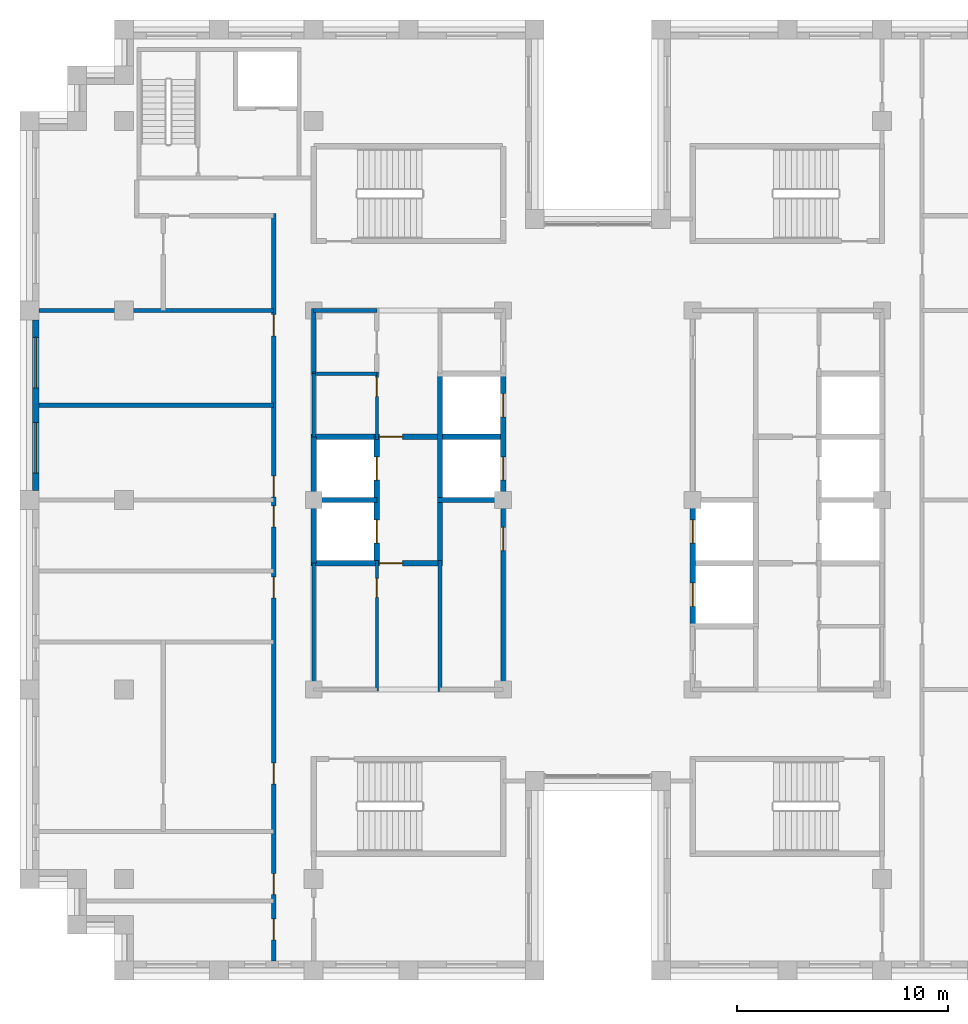
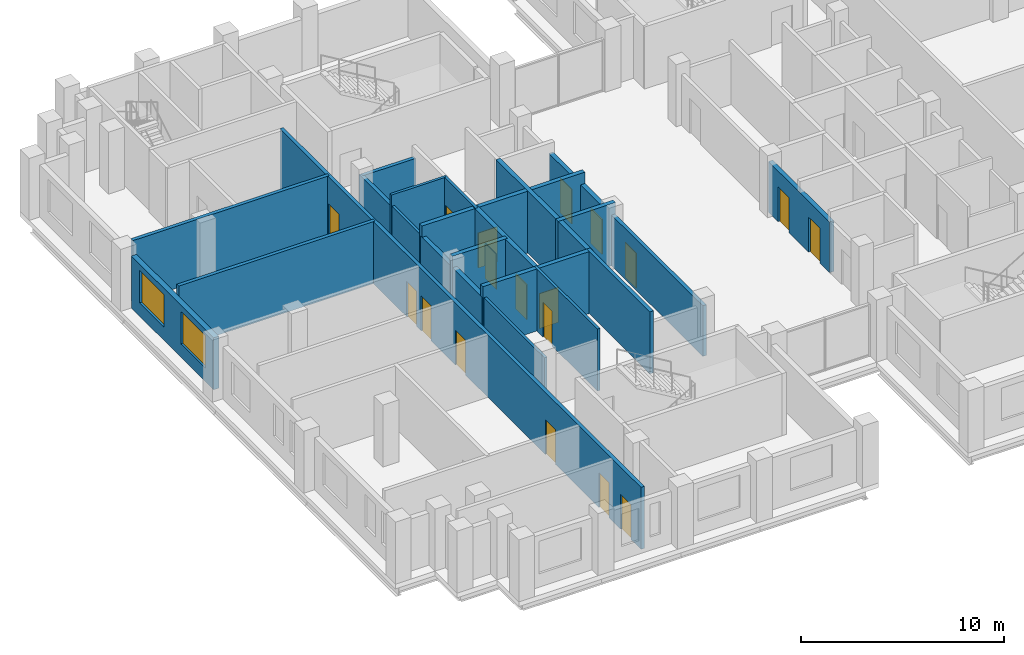
# One storey, part 7 of 13: 22 walls, 18 doors, 2 windows, 20 openings.
"""IFC4 building model written with IfcOpenShell, lengths in metres."""

from ifc_helpers import new_model, si_unit, direction, frame, frame_2d, origin, place, context, subcontext, project, spatial, rectangle, extrude, material, layer, layer_set, type_object, element, fill, save


model = new_model("IFC4")

# Units and contexts
model_context = context("Model", 3, precision=1e-05, world=origin(), true_north=direction((0.0, 1.0)))
body_context = subcontext(model_context, "Body", "Model", "MODEL_VIEW")
ifc_project = project(units=[si_unit("LENGTHUNIT", "METRE"), si_unit("AREAUNIT", "SQUARE_METRE"), si_unit("VOLUMEUNIT", "CUBIC_METRE"), si_unit("PLANEANGLEUNIT", "RADIAN"), si_unit("MASSUNIT", "GRAM", prefix="KILO")], contexts=[model_context])

# Site, building, storey
site_placement = place(None, origin())
site = spatial("IfcSite", under=ifc_project, at=site_placement, CompositionType="ELEMENT")
building_placement = place(site_placement, origin())
building = spatial("IfcBuilding", under=site, at=building_placement, Name="Corbelhall Arena Tower", CompositionType="ELEMENT")
storey_placement = place(building_placement, frame((0.0, 0.0, 282.0)))
storey = spatial("IfcBuildingStorey", under=building, at=storey_placement, Name="L61", CompositionType="ELEMENT", Elevation=282.0)

# Wall, openings, windows
ifc_material_1 = material(Name="Precast concrete C40/50 with granite facing", Category="masonry")
ifc_layer_1 = layer(ifc_material_1, 0.300048828125)
ifc_layer_set_1 = layer_set([ifc_layer_1], Name="EV-IW1 Infill panel 300")
wall_type_1 = type_object("IfcWallType", Name="EV-IW1 Infill panel 300", PredefinedType="SOLIDWALL", material=ifc_layer_set_1)
wall_1_placement = place(storey_placement, frame((-26.699951171875, 8.550048828125, 0.0), z_axis=(0.0, 0.0, 1.0), x_axis=(0.0, -1.0, 0.0)))
wall_1 = element("IfcWall", 1, at=wall_1_placement, inside=storey, type_object=wall_type_1, Name="Infill panel IW1", PredefinedType="SOLIDWALL", context=body_context, shape_type="SweptSolid", body=[
    extrude(rectangle(XDim=8.10009765625, YDim=0.300048828125, at=frame_2d((4.050048828125, 0.0))), origin(), (0.0, 0.0, 1.0), 3.1201171875),
])
opening_1_placement = place(wall_1_placement, frame((0.824951171875, 0.0, 0.800048828125)))
opening_1 = element("IfcOpeningElement", 2, at=opening_1_placement, cuts=wall_1, Name="Opening WN1", PredefinedType="OPENING", context=body_context, shape_type="SweptSolid", body=[
    extrude(rectangle(XDim=2.39990234375, YDim=1.949951171875, at=frame_2d((1.199951171875, 0.97509765625))), frame((0.0, 0.14990234375, 0.0), z_axis=(0.0, -1.0, 0.0), x_axis=(1.0, 0.0, 0.0)), (0.0, 0.0, 1.0), 0.300048828125),
])
opening_2_placement = place(wall_1_placement, frame((4.875, 0.0, 0.800048828125)))
opening_2 = element("IfcOpeningElement", 3, at=opening_2_placement, cuts=wall_1, Name="Opening WN1", PredefinedType="OPENING", context=body_context, shape_type="SweptSolid", body=[
    extrude(rectangle(XDim=2.39990234375, YDim=1.949951171875, at=frame_2d((1.199951171875, 0.97509765625))), frame((0.0, 0.14990234375, 0.0), z_axis=(0.0, -1.0, 0.0), x_axis=(1.0, 0.0, 0.0)), (0.0, 0.0, 1.0), 0.300048828125),
])
ifc_material_2 = material(Name="Aluminium black anodised", Category="aluminium")
window_type = type_object("IfcWindowType", Name="EV-WN1 Office window", PartitioningType="SINGLE_PANEL", PredefinedType="WINDOW", material=ifc_material_2)
window_1_placement = place(opening_1_placement, origin())
window_1 = element("IfcWindow", 4, at=window_1_placement, inside=storey, type_object=window_type, Name="Window WN1", OverallHeight=1.949951171875, OverallWidth=2.39990234375, PartitioningType="SINGLE_PANEL", PredefinedType="WINDOW", context=body_context, shape_type="SweptSolid", body=[
    extrude(rectangle(XDim=2.39990234375, YDim=1.949951171875, at=frame_2d((1.199951171875, 0.97509765625))), frame((0.0, 0.030029296875, 0.0), z_axis=(0.0, -1.0, 0.0), x_axis=(1.0, 0.0, 0.0)), (0.0, 0.0, 1.0), 0.06005859375),
])
fill(opening_1, window_1)
window_2_placement = place(opening_2_placement, origin())
window_2 = element("IfcWindow", 5, at=window_2_placement, inside=storey, type_object=window_type, Name="Window WN1", OverallHeight=1.949951171875, OverallWidth=2.39990234375, PartitioningType="SINGLE_PANEL", PredefinedType="WINDOW", context=body_context, shape_type="SweptSolid", body=[
    extrude(rectangle(XDim=2.39990234375, YDim=1.949951171875, at=frame_2d((1.199951171875, 0.97509765625))), frame((0.0, 0.030029296875, 0.0), z_axis=(0.0, -1.0, 0.0), x_axis=(1.0, 0.0, 0.0)), (0.0, 0.0, 1.0), 0.06005859375),
])
fill(opening_2, window_2)

# Walls
ifc_material_3 = material(Name="Gypsum board on steel stud, acoustic", Category="steel")
ifc_layer_2 = layer(ifc_material_3, 0.199951171875)
ifc_layer_set_2 = layer_set([ifc_layer_2], Name="IN-W-DM200")
wall_type_2 = type_object("IfcWallType", Name="IN-W-DM200", PredefinedType="PARTITIONING", material=ifc_layer_set_2)
for number, where, z_axis, x_axis, name in (
    (6, (-26.550048828125, 4.5, 0.0), (0.0, 0.0, 1.0), (1.0, 0.0, 0.0), "Partition 004"),
    (7, (-26.550048828125, 9.0, 0.0), (0.0, 0.0, 1.0), (1.0, 0.0, 0.0), "Partition 005"),
):
    element("IfcWall", number, at=place(storey_placement, frame(where, z_axis=z_axis, x_axis=x_axis)), inside=storey, type_object=wall_type_2, Name=name, PredefinedType="PARTITIONING", context=body_context, shape_type="SweptSolid", body=[
        extrude(rectangle(XDim=11.150146484375, YDim=0.199951171875, at=frame_2d((5.5751953125, 0.0))), origin(), (0.0, 0.0, 1.0), 3.719970703125),
    ])

# Wall, openings, doors
wall_2_placement = place(storey_placement, frame((-15.39990234375, -21.89990234375, 0.0), z_axis=(0.0, 0.0, 1.0), x_axis=(0.0, 1.0, 0.0)))
wall_2 = element("IfcWall", 8, at=wall_2_placement, inside=storey, type_object=wall_type_2, Name="Partition 011", PredefinedType="PARTITIONING", context=body_context, shape_type="SweptSolid", body=[
    extrude(rectangle(XDim=35.5, YDim=0.199951171875, at=frame_2d((17.75, 0.0))), origin(), (0.0, 0.0, 1.0), 3.719970703125),
])
opening_3_placement = place(wall_2_placement, frame((22.050048828125, 0.0, 0.0)))
opening_3 = element("IfcOpeningElement", 9, at=opening_3_placement, cuts=wall_2, Name="Opening 19022", PredefinedType="OPENING", context=body_context, shape_type="SweptSolid", body=[
    extrude(rectangle(XDim=1.0, YDim=2.10009765625, at=frame_2d((0.5, 1.050048828125))), frame((0.0, 0.10009765625, 0.0), z_axis=(0.0, -1.0, 0.0), x_axis=(1.0, 0.0, 0.0)), (0.0, 0.0, 1.0), 0.199951171875),
])
opening_4_placement = place(wall_2_placement, frame((29.699951171875, 0.0, 0.0)))
opening_4 = element("IfcOpeningElement", 10, at=opening_4_placement, cuts=wall_2, Name="Opening 19023", PredefinedType="OPENING", context=body_context, shape_type="SweptSolid", body=[
    extrude(rectangle(XDim=1.0, YDim=2.10009765625, at=frame_2d((0.5, 1.050048828125))), frame((0.0, 0.10009765625, 0.0), z_axis=(0.0, -1.0, 0.0), x_axis=(1.0, 0.0, 0.0)), (0.0, 0.0, 1.0), 0.199951171875),
])
opening_5_placement = place(wall_2_placement, frame((1.0, 0.0, 0.0)))
opening_5 = element("IfcOpeningElement", 11, at=opening_5_placement, cuts=wall_2, Name="Opening 19026", PredefinedType="OPENING", context=body_context, shape_type="SweptSolid", body=[
    extrude(rectangle(XDim=1.0, YDim=2.10009765625, at=frame_2d((0.5, 1.050048828125))), frame((0.0, 0.10009765625, 0.0), z_axis=(0.0, -1.0, 0.0), x_axis=(1.0, 0.0, 0.0)), (0.0, 0.0, 1.0), 0.199951171875),
])
opening_6_placement = place(wall_2_placement, frame((3.14990234375, 0.0, 0.0)))
opening_6 = element("IfcOpeningElement", 12, at=opening_6_placement, cuts=wall_2, Name="Opening 19027", PredefinedType="OPENING", context=body_context, shape_type="SweptSolid", body=[
    extrude(rectangle(XDim=1.0, YDim=2.10009765625, at=frame_2d((0.5, 1.050048828125))), frame((0.0, 0.10009765625, 0.0), z_axis=(0.0, -1.0, 0.0), x_axis=(1.0, 0.0, 0.0)), (0.0, 0.0, 1.0), 0.199951171875),
])
opening_7_placement = place(wall_2_placement, frame((8.39990234375, 0.0, 0.0)))
opening_7 = element("IfcOpeningElement", 13, at=opening_7_placement, cuts=wall_2, Name="Opening 19028", PredefinedType="OPENING", context=body_context, shape_type="SweptSolid", body=[
    extrude(rectangle(XDim=1.0, YDim=2.10009765625, at=frame_2d((0.5, 1.050048828125))), frame((0.0, 0.10009765625, 0.0), z_axis=(0.0, -1.0, 0.0), x_axis=(1.0, 0.0, 0.0)), (0.0, 0.0, 1.0), 0.199951171875),
])
opening_8_placement = place(wall_2_placement, frame((17.25, 0.0, 0.0)))
opening_8 = element("IfcOpeningElement", 14, at=opening_8_placement, cuts=wall_2, Name="Opening 19030", PredefinedType="OPENING", context=body_context, shape_type="SweptSolid", body=[
    extrude(rectangle(XDim=1.0, YDim=2.10009765625, at=frame_2d((0.5, 1.050048828125))), frame((0.0, 0.10009765625, 0.0), z_axis=(0.0, -1.0, 0.0), x_axis=(1.0, 0.0, 0.0)), (0.0, 0.0, 1.0), 0.199951171875),
])
opening_9_placement = place(wall_2_placement, frame((20.625, 0.0, 0.0)))
opening_9 = element("IfcOpeningElement", 15, at=opening_9_placement, cuts=wall_2, Name="Opening 19031", PredefinedType="OPENING", context=body_context, shape_type="SweptSolid", body=[
    extrude(rectangle(XDim=1.0, YDim=2.10009765625, at=frame_2d((0.5, 1.050048828125))), frame((0.0, 0.10009765625, 0.0), z_axis=(0.0, -1.0, 0.0), x_axis=(1.0, 0.0, 0.0)), (0.0, 0.0, 1.0), 0.199951171875),
])
ifc_material_4 = material(Name="Steel door set", Category="steel")
door_type_1 = type_object("IfcDoorType", Name="IN-D-SW100", OperationType="NOTDEFINED", PredefinedType="DOOR", material=ifc_material_4)
door_1_placement = place(opening_3_placement, origin())
door_1 = element("IfcDoor", 16, at=door_1_placement, inside=storey, type_object=door_type_1, Name="Door 022", OperationType="SINGLE_SWING_LEFT", OverallHeight=2.10009765625, OverallWidth=1.0, PredefinedType="DOOR", context=body_context, shape_type="SweptSolid", body=[
    extrude(rectangle(XDim=1.0, YDim=2.10009765625, at=frame_2d((0.5, 1.050048828125))), frame((0.0, 0.02490234375, 0.0), z_axis=(0.0, -1.0, 0.0), x_axis=(1.0, 0.0, 0.0)), (0.0, 0.0, 1.0), 0.050048828125),
])
fill(opening_3, door_1)
door_2_placement = place(opening_4_placement, origin())
door_2 = element("IfcDoor", 17, at=door_2_placement, inside=storey, type_object=door_type_1, Name="Door 023", OperationType="SINGLE_SWING_RIGHT", OverallHeight=2.10009765625, OverallWidth=1.0, PredefinedType="DOOR", context=body_context, shape_type="SweptSolid", body=[
    extrude(rectangle(XDim=1.0, YDim=2.10009765625, at=frame_2d((0.5, 1.050048828125))), frame((0.0, 0.02490234375, 0.0), z_axis=(0.0, -1.0, 0.0), x_axis=(1.0, 0.0, 0.0)), (0.0, 0.0, 1.0), 0.050048828125),
])
fill(opening_4, door_2)
door_3_placement = place(opening_5_placement, origin())
door_3 = element("IfcDoor", 18, at=door_3_placement, inside=storey, type_object=door_type_1, Name="Door 026", OperationType="SINGLE_SWING_LEFT", OverallHeight=2.10009765625, OverallWidth=1.0, PredefinedType="DOOR", context=body_context, shape_type="SweptSolid", body=[
    extrude(rectangle(XDim=1.0, YDim=2.10009765625, at=frame_2d((0.5, 1.050048828125))), frame((0.0, 0.02490234375, 0.0), z_axis=(0.0, -1.0, 0.0), x_axis=(1.0, 0.0, 0.0)), (0.0, 0.0, 1.0), 0.050048828125),
])
fill(opening_5, door_3)
door_4_placement = place(opening_6_placement, origin())
door_4 = element("IfcDoor", 19, at=door_4_placement, inside=storey, type_object=door_type_1, Name="Door 027", OperationType="SINGLE_SWING_RIGHT", OverallHeight=2.10009765625, OverallWidth=1.0, PredefinedType="DOOR", context=body_context, shape_type="SweptSolid", body=[
    extrude(rectangle(XDim=1.0, YDim=2.10009765625, at=frame_2d((0.5, 1.050048828125))), frame((0.0, 0.02490234375, 0.0), z_axis=(0.0, -1.0, 0.0), x_axis=(1.0, 0.0, 0.0)), (0.0, 0.0, 1.0), 0.050048828125),
])
fill(opening_6, door_4)
door_5_placement = place(opening_7_placement, origin())
door_5 = element("IfcDoor", 20, at=door_5_placement, inside=storey, type_object=door_type_1, Name="Door 028", OperationType="SINGLE_SWING_LEFT", OverallHeight=2.10009765625, OverallWidth=1.0, PredefinedType="DOOR", context=body_context, shape_type="SweptSolid", body=[
    extrude(rectangle(XDim=1.0, YDim=2.10009765625, at=frame_2d((0.5, 1.050048828125))), frame((0.0, 0.02490234375, 0.0), z_axis=(0.0, -1.0, 0.0), x_axis=(1.0, 0.0, 0.0)), (0.0, 0.0, 1.0), 0.050048828125),
])
fill(opening_7, door_5)
door_6_placement = place(opening_8_placement, origin())
door_6 = element("IfcDoor", 21, at=door_6_placement, inside=storey, type_object=door_type_1, Name="Door 030", OperationType="SINGLE_SWING_LEFT", OverallHeight=2.10009765625, OverallWidth=1.0, PredefinedType="DOOR", context=body_context, shape_type="SweptSolid", body=[
    extrude(rectangle(XDim=1.0, YDim=2.10009765625, at=frame_2d((0.5, 1.050048828125))), frame((0.0, 0.02490234375, 0.0), z_axis=(0.0, -1.0, 0.0), x_axis=(1.0, 0.0, 0.0)), (0.0, 0.0, 1.0), 0.050048828125),
])
fill(opening_8, door_6)
door_7_placement = place(opening_9_placement, origin())
door_7 = element("IfcDoor", 22, at=door_7_placement, inside=storey, type_object=door_type_1, Name="Door 031", OperationType="SINGLE_SWING_RIGHT", OverallHeight=2.10009765625, OverallWidth=1.0, PredefinedType="DOOR", context=body_context, shape_type="SweptSolid", body=[
    extrude(rectangle(XDim=1.0, YDim=2.10009765625, at=frame_2d((0.5, 1.050048828125))), frame((0.0, 0.02490234375, 0.0), z_axis=(0.0, -1.0, 0.0), x_axis=(1.0, 0.0, 0.0)), (0.0, 0.0, 1.0), 0.050048828125),
])
fill(opening_9, door_7)

# Walls
ifc_material_5 = material(Name="Concrete block wall", Category="concrete")
ifc_layer_3 = layer(ifc_material_5, 0.199951171875)
ifc_layer_set_3 = layer_set([ifc_layer_3], Name="IN-W-RS200")
wall_type_3 = type_object("IfcWallType", Name="IN-W-RS200", PredefinedType="SOLIDWALL", material=ifc_layer_set_3)
wall_3_placement = place(storey_placement, frame((-7.5, -9.10009765625, 0.0), z_axis=(0.0, 0.0, 1.0), x_axis=(0.0, 1.0, 0.0)))
element("IfcWall", 23, at=wall_3_placement, inside=storey, type_object=wall_type_3, Name="Partition 029", PredefinedType="SOLIDWALL", context=body_context, shape_type="SweptSolid", body=[
    extrude(rectangle(XDim=6.22509765625, YDim=0.199951171875, at=frame_2d((3.112548828125, 0.0))), origin(), (0.0, 0.0, 1.0), 3.719970703125),
])
ifc_layer_4 = layer(ifc_material_5, 0.199951171875)
ifc_layer_set_4 = layer_set([ifc_layer_4], Name="IN-W-RS200 under beam 678 mm")
wall_type_4 = type_object("IfcWallType", Name="IN-W-RS200 under beam 678 mm", PredefinedType="SOLIDWALL", material=ifc_layer_set_4)
wall_4_placement = place(storey_placement, frame((-13.5, 6.0, 0.0), z_axis=(0.0, 0.0, 1.0), x_axis=(0.0, 1.0, 0.0)))
element("IfcWall", 24, at=wall_4_placement, inside=storey, type_object=wall_type_4, Name="Partition 026", PredefinedType="SOLIDWALL", context=body_context, shape_type="SweptSolid", body=[
    extrude(rectangle(XDim=3.10009765625, YDim=0.199951171875, at=frame_2d((1.550048828125, 0.0))), origin(), (0.0, 0.0, 1.0), 3.041748046875),
])
wall_5_placement = place(storey_placement, frame((-13.5, 9.0, 0.0), z_axis=(0.0, 0.0, 1.0), x_axis=(1.0, 0.0, 0.0)))
element("IfcWall", 25, at=wall_5_placement, inside=storey, type_object=wall_type_4, Name="Partition 027", PredefinedType="SOLIDWALL", context=body_context, shape_type="SweptSolid", body=[
    extrude(rectangle(XDim=3.0, YDim=0.199951171875, at=frame_2d((1.5, 0.0))), origin(), (0.0, 0.0, 1.0), 3.041748046875),
])

# Wall, opening, door
wall_6_placement = place(storey_placement, frame((-4.5, 0.0, 0.0), z_axis=(0.0, 0.0, 1.0), x_axis=(0.0, -1.0, 0.0)))
wall_6 = element("IfcWall", 26, at=wall_6_placement, inside=storey, type_object=wall_type_4, Name="Partition 033", PredefinedType="SOLIDWALL", context=body_context, shape_type="SweptSolid", body=[
    extrude(rectangle(XDim=9.10009765625, YDim=0.199951171875, at=frame_2d((4.550048828125, 0.0))), origin(), (0.0, 0.0, 1.0), 3.041748046875),
])
opening_10_placement = place(wall_6_placement, frame((1.300048828125, 0.0, 0.0)))
opening_10 = element("IfcOpeningElement", 27, at=opening_10_placement, cuts=wall_6, Name="Opening 19001", PredefinedType="OPENING", context=body_context, shape_type="SweptSolid", body=[
    extrude(rectangle(XDim=1.10009765625, YDim=2.10009765625, at=frame_2d((0.550048828125, 1.050048828125))), frame((0.0, 0.10009765625, 0.0), z_axis=(0.0, -1.0, 0.0), x_axis=(1.0, 0.0, 0.0)), (0.0, 0.0, 1.0), 0.199951171875),
])
door_type_2 = type_object("IfcDoorType", Name="IN-D-FD110", OperationType="NOTDEFINED", PredefinedType="DOOR", material=ifc_material_4)
door_8_placement = place(opening_10_placement, origin())
door_8 = element("IfcDoor", 28, at=door_8_placement, inside=storey, type_object=door_type_2, Name="Door 001", OperationType="SINGLE_SWING_RIGHT", OverallHeight=2.10009765625, OverallWidth=1.10009765625, PredefinedType="DOOR", context=body_context, shape_type="SweptSolid", body=[
    extrude(rectangle(XDim=1.10009765625, YDim=2.10009765625, at=frame_2d((0.550048828125, 1.050048828125))), frame((0.0, 0.02490234375, 0.0), z_axis=(0.0, -1.0, 0.0), x_axis=(1.0, 0.0, 0.0)), (0.0, 0.0, 1.0), 0.050048828125),
])
fill(opening_10, door_8)

# Wall
ifc_material_6 = material(Name="Concrete C40/50", Category="concrete")
ifc_layer_5 = layer(ifc_material_6, 0.25)
ifc_layer_set_5 = layer_set([ifc_layer_5], Name="IN-W-SH250")
wall_type_5 = type_object("IfcWallType", Name="IN-W-SH250", PredefinedType="SOLIDWALL", material=ifc_layer_set_5)
wall_7_placement = place(storey_placement, frame((-13.625, 0.0, 0.0), z_axis=(0.0, 0.0, 1.0), x_axis=(1.0, 0.0, 0.0)))
element("IfcWall", 29, at=wall_7_placement, inside=storey, type_object=wall_type_5, Name="Shaft wall 046", PredefinedType="SOLIDWALL", context=body_context, shape_type="SweptSolid", body=[
    extrude(rectangle(XDim=3.125, YDim=0.25, at=frame_2d((1.5625, 0.0))), origin(), (0.0, 0.0, 1.0), 3.719970703125),
])

# Wall, opening, door
wall_8_placement = place(storey_placement, frame((-13.625, 3.0, 0.0), z_axis=(0.0, 0.0, 1.0), x_axis=(1.0, 0.0, 0.0)))
wall_8 = element("IfcWall", 30, at=wall_8_placement, inside=storey, type_object=wall_type_5, Name="Shaft wall 047", PredefinedType="SOLIDWALL", context=body_context, shape_type="SweptSolid", body=[
    extrude(rectangle(XDim=9.25, YDim=0.25, at=frame_2d((4.625, 0.0))), origin(), (0.0, 0.0, 1.0), 3.719970703125),
])
opening_11_placement = place(wall_8_placement, frame((3.25, 0.0, 0.0)))
opening_11 = element("IfcOpeningElement", 31, at=opening_11_placement, cuts=wall_8, Name="Opening 19004", PredefinedType="OPENING", context=body_context, shape_type="SweptSolid", body=[
    extrude(rectangle(XDim=1.10009765625, YDim=2.10009765625, at=frame_2d((0.550048828125, 1.050048828125))), frame((0.0, 0.125, 0.0), z_axis=(0.0, -1.0, 0.0), x_axis=(1.0, 0.0, 0.0)), (0.0, 0.0, 1.0), 0.25),
])
door_9_placement = place(opening_11_placement, origin())
door_9 = element("IfcDoor", 32, at=door_9_placement, inside=storey, type_object=door_type_2, Name="Door 004", OperationType="SINGLE_SWING_LEFT", OverallHeight=2.10009765625, OverallWidth=1.10009765625, PredefinedType="DOOR", context=body_context, shape_type="SweptSolid", body=[
    extrude(rectangle(XDim=1.10009765625, YDim=2.10009765625, at=frame_2d((0.550048828125, 1.050048828125))), frame((0.0, 0.02490234375, 0.0), z_axis=(0.0, -1.0, 0.0), x_axis=(1.0, 0.0, 0.0)), (0.0, 0.0, 1.0), 0.050048828125),
])
fill(opening_11, door_9)

wall_9_placement = place(storey_placement, frame((-13.625, -3.0, 0.0), z_axis=(0.0, 0.0, 1.0), x_axis=(1.0, 0.0, 0.0)))
wall_9 = element("IfcWall", 33, at=wall_9_placement, inside=storey, type_object=wall_type_5, Name="Shaft wall 049", PredefinedType="SOLIDWALL", context=body_context, shape_type="SweptSolid", body=[
    extrude(rectangle(XDim=6.125, YDim=0.25, at=frame_2d((3.0625, 0.0))), origin(), (0.0, 0.0, 1.0), 3.719970703125),
])
opening_12_placement = place(wall_9_placement, frame((3.25, 0.0, 0.0)))
opening_12 = element("IfcOpeningElement", 34, at=opening_12_placement, cuts=wall_9, Name="Opening 19003", PredefinedType="OPENING", context=body_context, shape_type="SweptSolid", body=[
    extrude(rectangle(XDim=1.10009765625, YDim=2.10009765625, at=frame_2d((0.550048828125, 1.050048828125))), frame((0.0, 0.125, 0.0), z_axis=(0.0, -1.0, 0.0), x_axis=(1.0, 0.0, 0.0)), (0.0, 0.0, 1.0), 0.25),
])
door_10_placement = place(opening_12_placement, origin())
door_10 = element("IfcDoor", 35, at=door_10_placement, inside=storey, type_object=door_type_2, Name="Door 003", OperationType="SINGLE_SWING_RIGHT", OverallHeight=2.10009765625, OverallWidth=1.10009765625, PredefinedType="DOOR", context=body_context, shape_type="SweptSolid", body=[
    extrude(rectangle(XDim=1.10009765625, YDim=2.10009765625, at=frame_2d((0.550048828125, 1.050048828125))), frame((0.0, 0.02490234375, 0.0), z_axis=(0.0, -1.0, 0.0), x_axis=(1.0, 0.0, 0.0)), (0.0, 0.0, 1.0), 0.050048828125),
])
fill(opening_12, door_10)

# Wall, openings, doors
wall_10_placement = place(storey_placement, frame((-10.5, -3.125, 0.0), z_axis=(0.0, 0.0, 1.0), x_axis=(0.0, 1.0, 0.0)))
wall_10 = element("IfcWall", 36, at=wall_10_placement, inside=storey, type_object=wall_type_5, Name="Shaft wall 050", PredefinedType="SOLIDWALL", context=body_context, shape_type="SweptSolid", body=[
    extrude(rectangle(XDim=6.25, YDim=0.25, at=frame_2d((3.125, 0.0))), origin(), (0.0, 0.0, 1.0), 3.719970703125),
])
opening_13_placement = place(wall_10_placement, frame((1.074951171875, 0.0, 0.0)))
opening_13 = element("IfcOpeningElement", 37, at=opening_13_placement, cuts=wall_10, Name="Opening LD", PredefinedType="OPENING", context=body_context, shape_type="SweptSolid", body=[
    extrude(rectangle(XDim=1.10009765625, YDim=2.10009765625, at=frame_2d((0.550048828125, 1.050048828125))), frame((0.0, 0.125, 0.0), z_axis=(0.0, -1.0, 0.0), x_axis=(1.0, 0.0, 0.0)), (0.0, 0.0, 1.0), 0.25),
])
opening_14_placement = place(wall_10_placement, frame((4.074951171875, 0.0, 0.0)))
opening_14 = element("IfcOpeningElement", 38, at=opening_14_placement, cuts=wall_10, Name="Opening LD", PredefinedType="OPENING", context=body_context, shape_type="SweptSolid", body=[
    extrude(rectangle(XDim=1.10009765625, YDim=2.10009765625, at=frame_2d((0.550048828125, 1.050048828125))), frame((0.0, 0.125, 0.0), z_axis=(0.0, -1.0, 0.0), x_axis=(1.0, 0.0, 0.0)), (0.0, 0.0, 1.0), 0.25),
])
door_type_3 = type_object("IfcDoorType", Name="IN-D-LD110", OperationType="NOTDEFINED", PredefinedType="DOOR", material=ifc_material_4)
door_11_placement = place(opening_13_placement, origin())
door_11 = element("IfcDoor", 39, at=door_11_placement, inside=storey, type_object=door_type_3, Name="Landing door W3", OperationType="SLIDING_TO_LEFT", OverallHeight=2.10009765625, OverallWidth=1.10009765625, PredefinedType="DOOR", context=body_context, shape_type="SweptSolid", body=[
    extrude(rectangle(XDim=1.10009765625, YDim=2.10009765625, at=frame_2d((0.550048828125, 1.050048828125))), frame((0.0, 0.02490234375, 0.0), z_axis=(0.0, -1.0, 0.0), x_axis=(1.0, 0.0, 0.0)), (0.0, 0.0, 1.0), 0.050048828125),
])
fill(opening_13, door_11)
door_12_placement = place(opening_14_placement, origin())
door_12 = element("IfcDoor", 40, at=door_12_placement, inside=storey, type_object=door_type_3, Name="Landing door W4", OperationType="SLIDING_TO_LEFT", OverallHeight=2.10009765625, OverallWidth=1.10009765625, PredefinedType="DOOR", context=body_context, shape_type="SweptSolid", body=[
    extrude(rectangle(XDim=1.10009765625, YDim=2.10009765625, at=frame_2d((0.550048828125, 1.050048828125))), frame((0.0, 0.02490234375, 0.0), z_axis=(0.0, -1.0, 0.0), x_axis=(1.0, 0.0, 0.0)), (0.0, 0.0, 1.0), 0.050048828125),
])
fill(opening_14, door_12)

# Walls
wall_11_placement = place(storey_placement, frame((-7.625, 0.0, 0.0), z_axis=(0.0, 0.0, 1.0), x_axis=(1.0, 0.0, 0.0)))
element("IfcWall", 41, at=wall_11_placement, inside=storey, type_object=wall_type_5, Name="Shaft wall 051", PredefinedType="SOLIDWALL", context=body_context, shape_type="SweptSolid", body=[
    extrude(rectangle(XDim=3.25, YDim=0.25, at=frame_2d((1.625, 0.0))), origin(), (0.0, 0.0, 1.0), 3.719970703125),
])
wall_12_placement = place(storey_placement, frame((-7.5, -3.125, 0.0), z_axis=(0.0, 0.0, 1.0), x_axis=(0.0, 1.0, 0.0)))
element("IfcWall", 42, at=wall_12_placement, inside=storey, type_object=wall_type_5, Name="Shaft wall 053", PredefinedType="SOLIDWALL", context=body_context, shape_type="SweptSolid", body=[
    extrude(rectangle(XDim=9.125, YDim=0.25, at=frame_2d((4.5625, 0.0))), origin(), (0.0, 0.0, 1.0), 3.719970703125),
])
ifc_layer_6 = layer(ifc_material_6, 0.25)
ifc_layer_set_6 = layer_set([ifc_layer_6], Name="IN-W-SH250 under beam 678 mm")
wall_type_6 = type_object("IfcWallType", Name="IN-W-SH250 under beam 678 mm", PredefinedType="SOLIDWALL", material=ifc_layer_set_6)
wall_13_placement = place(storey_placement, frame((-13.5, -3.0, 0.0), z_axis=(0.0, 0.0, 1.0), x_axis=(0.0, 1.0, 0.0)))
element("IfcWall", 43, at=wall_13_placement, inside=storey, type_object=wall_type_6, Name="Shaft wall 048", PredefinedType="SOLIDWALL", context=body_context, shape_type="SweptSolid", body=[
    extrude(rectangle(XDim=6.0, YDim=0.25, at=frame_2d((3.0, 0.0))), origin(), (0.0, 0.0, 1.0), 3.041748046875),
])

# Wall, openings, doors
wall_14_placement = place(storey_placement, frame((-4.5, 6.0, 0.0), z_axis=(0.0, 0.0, 1.0), x_axis=(0.0, -1.0, 0.0)))
wall_14 = element("IfcWall", 44, at=wall_14_placement, inside=storey, type_object=wall_type_6, Name="Shaft wall 054", PredefinedType="SOLIDWALL", context=body_context, shape_type="SweptSolid", body=[
    extrude(rectangle(XDim=6.0, YDim=0.25, at=frame_2d((3.0, 0.0))), origin(), (0.0, 0.0, 1.0), 3.041748046875),
])
opening_15_placement = place(wall_14_placement, frame((3.949951171875, 0.0, 0.0)))
opening_15 = element("IfcOpeningElement", 45, at=opening_15_placement, cuts=wall_14, Name="Opening LD", PredefinedType="OPENING", context=body_context, shape_type="SweptSolid", body=[
    extrude(rectangle(XDim=1.10009765625, YDim=2.10009765625, at=frame_2d((0.550048828125, 1.050048828125))), frame((0.0, 0.125, 0.0), z_axis=(0.0, -1.0, 0.0), x_axis=(1.0, 0.0, 0.0)), (0.0, 0.0, 1.0), 0.25),
])
opening_16_placement = place(wall_14_placement, frame((0.949951171875, 0.0, 0.0)))
opening_16 = element("IfcOpeningElement", 46, at=opening_16_placement, cuts=wall_14, Name="Opening LD", PredefinedType="OPENING", context=body_context, shape_type="SweptSolid", body=[
    extrude(rectangle(XDim=1.10009765625, YDim=2.10009765625, at=frame_2d((0.550048828125, 1.050048828125))), frame((0.0, 0.125, 0.0), z_axis=(0.0, -1.0, 0.0), x_axis=(1.0, 0.0, 0.0)), (0.0, 0.0, 1.0), 0.25),
])
door_13_placement = place(opening_15_placement, origin())
door_13 = element("IfcDoor", 47, at=door_13_placement, inside=storey, type_object=door_type_3, Name="Landing door W4", OperationType="SLIDING_TO_LEFT", OverallHeight=2.10009765625, OverallWidth=1.10009765625, PredefinedType="DOOR", context=body_context, shape_type="SweptSolid", body=[
    extrude(rectangle(XDim=1.10009765625, YDim=2.10009765625, at=frame_2d((0.550048828125, 1.050048828125))), frame((0.0, 0.02490234375, 0.0), z_axis=(0.0, -1.0, 0.0), x_axis=(1.0, 0.0, 0.0)), (0.0, 0.0, 1.0), 0.050048828125),
])
fill(opening_15, door_13)
door_14_placement = place(opening_16_placement, origin())
door_14 = element("IfcDoor", 48, at=door_14_placement, inside=storey, type_object=door_type_3, Name="Landing door W5", OperationType="SLIDING_TO_LEFT", OverallHeight=2.10009765625, OverallWidth=1.10009765625, PredefinedType="DOOR", context=body_context, shape_type="SweptSolid", body=[
    extrude(rectangle(XDim=1.10009765625, YDim=2.10009765625, at=frame_2d((0.550048828125, 1.050048828125))), frame((0.0, 0.02490234375, 0.0), z_axis=(0.0, -1.0, 0.0), x_axis=(1.0, 0.0, 0.0)), (0.0, 0.0, 1.0), 0.050048828125),
])
fill(opening_16, door_14)

wall_15_placement = place(storey_placement, frame((4.5, -6.0, 0.0), z_axis=(0.0, 0.0, 1.0), x_axis=(0.0, 1.0, 0.0)))
wall_15 = element("IfcWall", 49, at=wall_15_placement, inside=storey, type_object=wall_type_6, Name="Shaft wall 058", PredefinedType="SOLIDWALL", context=body_context, shape_type="SweptSolid", body=[
    extrude(rectangle(XDim=6.0, YDim=0.25, at=frame_2d((3.0, 0.0))), origin(), (0.0, 0.0, 1.0), 3.041748046875),
])
opening_17_placement = place(wall_15_placement, frame((0.949951171875, 0.0, 0.0)))
opening_17 = element("IfcOpeningElement", 50, at=opening_17_placement, cuts=wall_15, Name="Opening LD", PredefinedType="OPENING", context=body_context, shape_type="SweptSolid", body=[
    extrude(rectangle(XDim=1.10009765625, YDim=2.10009765625, at=frame_2d((0.550048828125, 1.050048828125))), frame((0.0, 0.125, 0.0), z_axis=(0.0, -1.0, 0.0), x_axis=(1.0, 0.0, 0.0)), (0.0, 0.0, 1.0), 0.25),
])
opening_18_placement = place(wall_15_placement, frame((3.949951171875, 0.0, 0.0)))
opening_18 = element("IfcOpeningElement", 51, at=opening_18_placement, cuts=wall_15, Name="Opening LD", PredefinedType="OPENING", context=body_context, shape_type="SweptSolid", body=[
    extrude(rectangle(XDim=1.10009765625, YDim=2.10009765625, at=frame_2d((0.550048828125, 1.050048828125))), frame((0.0, 0.125, 0.0), z_axis=(0.0, -1.0, 0.0), x_axis=(1.0, 0.0, 0.0)), (0.0, 0.0, 1.0), 0.25),
])
door_15_placement = place(opening_17_placement, origin())
door_15 = element("IfcDoor", 52, at=door_15_placement, inside=storey, type_object=door_type_3, Name="Landing door E2", OperationType="SLIDING_TO_LEFT", OverallHeight=2.10009765625, OverallWidth=1.10009765625, PredefinedType="DOOR", context=body_context, shape_type="SweptSolid", body=[
    extrude(rectangle(XDim=1.10009765625, YDim=2.10009765625, at=frame_2d((0.550048828125, 1.050048828125))), frame((0.0, 0.02490234375, 0.0), z_axis=(0.0, -1.0, 0.0), x_axis=(1.0, 0.0, 0.0)), (0.0, 0.0, 1.0), 0.050048828125),
])
fill(opening_17, door_15)
door_16_placement = place(opening_18_placement, origin())
door_16 = element("IfcDoor", 53, at=door_16_placement, inside=storey, type_object=door_type_3, Name="Landing door E3", OperationType="SLIDING_TO_LEFT", OverallHeight=2.10009765625, OverallWidth=1.10009765625, PredefinedType="DOOR", context=body_context, shape_type="SweptSolid", body=[
    extrude(rectangle(XDim=1.10009765625, YDim=2.10009765625, at=frame_2d((0.550048828125, 1.050048828125))), frame((0.0, 0.02490234375, 0.0), z_axis=(0.0, -1.0, 0.0), x_axis=(1.0, 0.0, 0.0)), (0.0, 0.0, 1.0), 0.050048828125),
])
fill(opening_18, door_16)

# Wall
ifc_material_7 = material(Name="Gypsum board on steel stud, moisture resistant", Category="steel")
ifc_layer_7 = layer(ifc_material_7, 0.14990234375)
ifc_layer_set_7 = layer_set([ifc_layer_7], Name="IN-W-WC150")
wall_type_7 = type_object("IfcWallType", Name="IN-W-WC150", PredefinedType="PARTITIONING", material=ifc_layer_set_7)
wall_16_placement = place(storey_placement, frame((-13.60009765625, 6.0, 0.0), z_axis=(0.0, 0.0, 1.0), x_axis=(1.0, 0.0, 0.0)))
element("IfcWall", 54, at=wall_16_placement, inside=storey, type_object=wall_type_7, Name="Partition 082", PredefinedType="PARTITIONING", context=body_context, shape_type="SweptSolid", body=[
    extrude(rectangle(XDim=3.10009765625, YDim=0.14990234375, at=frame_2d((1.550048828125, 0.0))), origin(), (0.0, 0.0, 1.0), 3.719970703125),
])

# Wall, opening, door
wall_17_placement = place(storey_placement, frame((-10.5, -9.074951171875, 0.0), z_axis=(0.0, 0.0, 1.0), x_axis=(0.0, 1.0, 0.0)))
wall_17 = element("IfcWall", 55, at=wall_17_placement, inside=storey, type_object=wall_type_7, Name="Partition 085", PredefinedType="PARTITIONING", context=body_context, shape_type="SweptSolid", body=[
    extrude(rectangle(XDim=6.199951171875, YDim=0.14990234375, at=frame_2d((3.10009765625, 0.0))), origin(), (0.0, 0.0, 1.0), 3.719970703125),
])
opening_19_placement = place(wall_17_placement, frame((4.449951171875, 0.0, 0.0)))
opening_19 = element("IfcOpeningElement", 56, at=opening_19_placement, cuts=wall_17, Name="Opening 19005", PredefinedType="OPENING", context=body_context, shape_type="SweptSolid", body=[
    extrude(rectangle(XDim=0.89990234375, YDim=2.10009765625, at=frame_2d((0.449951171875, 1.050048828125))), frame((0.0, 0.074951171875, 0.0), z_axis=(0.0, -1.0, 0.0), x_axis=(1.0, 0.0, 0.0)), (0.0, 0.0, 1.0), 0.14990234375),
])
ifc_material_8 = material(Name="Timber door set", Category="wood")
door_type_4 = type_object("IfcDoorType", Name="IN-D-SW90", OperationType="NOTDEFINED", PredefinedType="DOOR", material=ifc_material_8)
door_17_placement = place(opening_19_placement, origin())
door_17 = element("IfcDoor", 57, at=door_17_placement, inside=storey, type_object=door_type_4, Name="Door 005", OperationType="SINGLE_SWING_RIGHT", OverallHeight=2.10009765625, OverallWidth=0.89990234375, PredefinedType="DOOR", context=body_context, shape_type="SweptSolid", body=[
    extrude(rectangle(XDim=0.89990234375, YDim=2.10009765625, at=frame_2d((0.449951171875, 1.050048828125))), frame((0.0, 0.02490234375, 0.0), z_axis=(0.0, -1.0, 0.0), x_axis=(1.0, 0.0, 0.0)), (0.0, 0.0, 1.0), 0.050048828125),
])
fill(opening_19, door_17)

wall_18_placement = place(storey_placement, frame((-10.5, 2.875, 0.0), z_axis=(0.0, 0.0, 1.0), x_axis=(0.0, 1.0, 0.0)))
wall_18 = element("IfcWall", 58, at=wall_18_placement, inside=storey, type_object=wall_type_7, Name="Partition 087", PredefinedType="PARTITIONING", context=body_context, shape_type="SweptSolid", body=[
    extrude(rectangle(XDim=3.199951171875, YDim=0.14990234375, at=frame_2d((1.60009765625, 0.0))), origin(), (0.0, 0.0, 1.0), 3.719970703125),
])
opening_20_placement = place(wall_18_placement, frame((2.050048828125, 0.0, 0.0)))
opening_20 = element("IfcOpeningElement", 59, at=opening_20_placement, cuts=wall_18, Name="Opening 19006", PredefinedType="OPENING", context=body_context, shape_type="SweptSolid", body=[
    extrude(rectangle(XDim=0.89990234375, YDim=2.10009765625, at=frame_2d((0.449951171875, 1.050048828125))), frame((0.0, 0.074951171875, 0.0), z_axis=(0.0, -1.0, 0.0), x_axis=(1.0, 0.0, 0.0)), (0.0, 0.0, 1.0), 0.14990234375),
])
door_18_placement = place(opening_20_placement, origin())
door_18 = element("IfcDoor", 60, at=door_18_placement, inside=storey, type_object=door_type_4, Name="Door 006", OperationType="SINGLE_SWING_LEFT", OverallHeight=2.10009765625, OverallWidth=0.89990234375, PredefinedType="DOOR", context=body_context, shape_type="SweptSolid", body=[
    extrude(rectangle(XDim=0.89990234375, YDim=2.10009765625, at=frame_2d((0.449951171875, 1.050048828125))), frame((0.0, 0.02490234375, 0.0), z_axis=(0.0, -1.0, 0.0), x_axis=(1.0, 0.0, 0.0)), (0.0, 0.0, 1.0), 0.050048828125),
])
fill(opening_20, door_18)

# Walls
ifc_layer_8 = layer(ifc_material_7, 0.14990234375)
ifc_layer_set_8 = layer_set([ifc_layer_8], Name="IN-W-WC150 under beam 678 mm")
wall_type_8 = type_object("IfcWallType", Name="IN-W-WC150 under beam 678 mm", PredefinedType="PARTITIONING", material=ifc_layer_set_8)
wall_19_placement = place(storey_placement, frame((-13.5, -9.074951171875, 0.0), z_axis=(0.0, 0.0, 1.0), x_axis=(0.0, 1.0, 0.0)))
element("IfcWall", 61, at=wall_19_placement, inside=storey, type_object=wall_type_8, Name="Partition 083", PredefinedType="PARTITIONING", context=body_context, shape_type="SweptSolid", body=[
    extrude(rectangle(XDim=6.074951171875, YDim=0.14990234375, at=frame_2d((3.03759765625, 0.0))), origin(), (0.0, 0.0, 1.0), 3.041748046875),
])
wall_20_placement = place(storey_placement, frame((-13.5, 3.0, 0.0), z_axis=(0.0, 0.0, 1.0), x_axis=(0.0, 1.0, 0.0)))
element("IfcWall", 62, at=wall_20_placement, inside=storey, type_object=wall_type_8, Name="Partition 084", PredefinedType="PARTITIONING", context=body_context, shape_type="SweptSolid", body=[
    extrude(rectangle(XDim=3.0, YDim=0.14990234375, at=frame_2d((1.5, 0.0))), origin(), (0.0, 0.0, 1.0), 3.041748046875),
])

save(model, "model.ifc")
